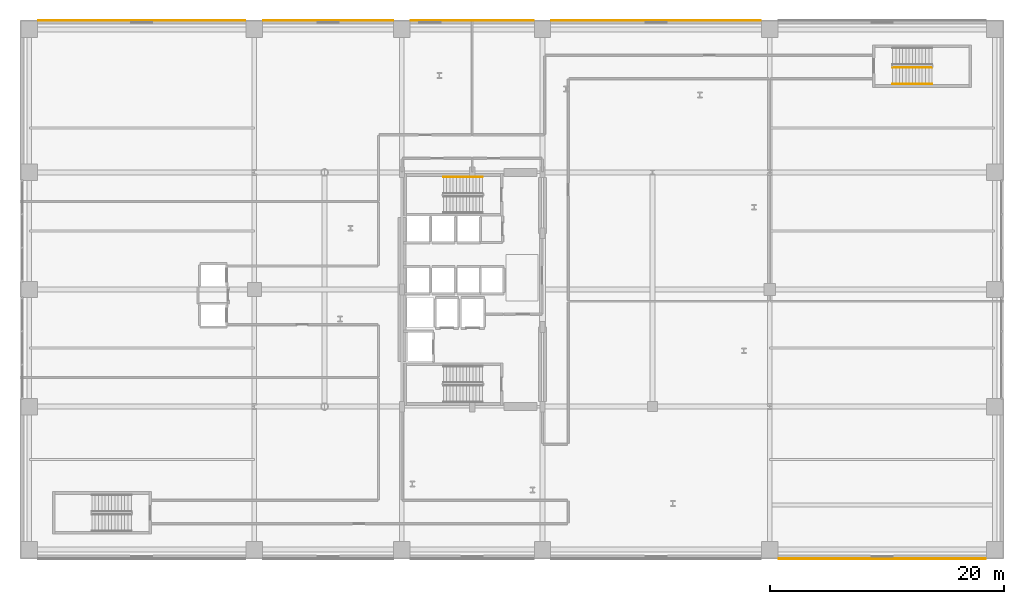
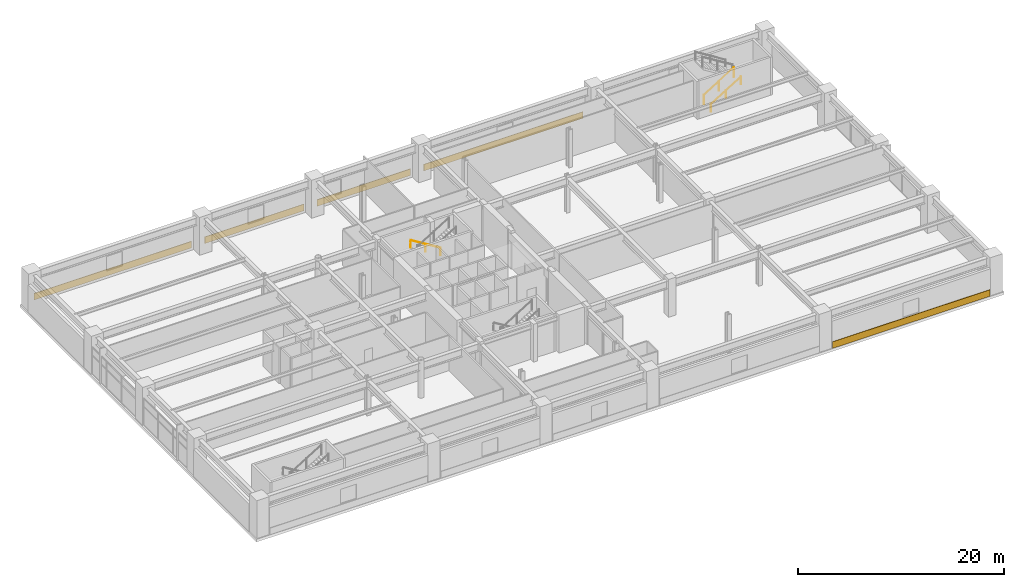
# One storey, part 27 of 28: 5 coverings, 3 railings.
"""IFC4 building model written with IfcOpenShell, lengths in metres."""

from ifc_helpers import new_model, si_unit, direction, frame, origin, origin_2d, place, context, subcontext, project, spatial, rectangle, circle, extrude, material, layer, layer_set, type_object, element, save


model = new_model("IFC4")

# Units and contexts
model_context = context("Model", 3, precision=1e-05, world=origin(), true_north=direction((0.0, 1.0)))
body_context = subcontext(model_context, "Body", "Model", "MODEL_VIEW")
ifc_project = project(units=[si_unit("LENGTHUNIT", "METRE"), si_unit("AREAUNIT", "SQUARE_METRE"), si_unit("VOLUMEUNIT", "CUBIC_METRE"), si_unit("PLANEANGLEUNIT", "RADIAN"), si_unit("MASSUNIT", "GRAM", prefix="KILO")], contexts=[model_context])

# Site, building, storey
site_placement = place(None, origin())
site = spatial("IfcSite", under=ifc_project, at=site_placement, CompositionType="ELEMENT")
building_placement = place(site_placement, origin())
building = spatial("IfcBuilding", under=site, at=building_placement, Name="Soratama Intermodal Tower", CompositionType="ELEMENT")
storey_placement = place(building_placement, frame((0.0, 0.0, 16.199951171875)))
storey = spatial("IfcBuildingStorey", under=building, at=storey_placement, Name="L03", CompositionType="ELEMENT", Elevation=16.199951171875)

# Coverings
ifc_material_1 = material(Name="Honed Andean limestone cladding", Category="masonry")
ifc_layer = layer(ifc_material_1, 0.06005859375)
ifc_layer_set = layer_set([ifc_layer], Name="Honed Andean limestone cladding")
covering_type = type_object("IfcCoveringType", Name="CV-STONE-CLAD", PredefinedType="CLADDING", material=ifc_layer_set)
covering_1_placement = place(storey_placement, frame((10.39990234375, 47.97607421875, 0.0302734375), z_axis=(0.0, 0.0, 1.0), x_axis=(1.0, 0.0, 0.0)))
element("IfcCovering", 1, at=covering_1_placement, inside=storey, type_object=covering_type, Name="L03 N Cladding B1", PredefinedType="CLADDING", context=body_context, shape_type="SweptSolid", body=[
    extrude(rectangle(XDim=17.699951171875, YDim=0.06005859375, at=origin_2d()), origin(), (0.0, 0.0, 1.0), 0.780029296875),
])
covering_2_placement = place(storey_placement, frame((26.300048828125, 47.97607421875, 0.0302734375), z_axis=(0.0, 0.0, 1.0), x_axis=(1.0, 0.0, 0.0)))
element("IfcCovering", 2, at=covering_2_placement, inside=storey, type_object=covering_type, Name="L03 N Cladding B2", PredefinedType="CLADDING", context=body_context, shape_type="SweptSolid", body=[
    extrude(rectangle(XDim=11.10009765625, YDim=0.06005859375, at=origin_2d()), origin(), (0.0, 0.0, 1.0), 0.780029296875),
])
covering_3_placement = place(storey_placement, frame((38.60009765625, 47.97607421875, 0.0302734375), z_axis=(0.0, 0.0, 1.0), x_axis=(1.0, 0.0, 0.0)))
element("IfcCovering", 3, at=covering_3_placement, inside=storey, type_object=covering_type, Name="L03 N Cladding B3", PredefinedType="CLADDING", context=body_context, shape_type="SweptSolid", body=[
    extrude(rectangle(XDim=10.5, YDim=0.06005859375, at=origin_2d()), origin(), (0.0, 0.0, 1.0), 0.780029296875),
])
covering_4_placement = place(storey_placement, frame((54.300048828125, 47.97607421875, 0.0302734375), z_axis=(0.0, 0.0, 1.0), x_axis=(1.0, 0.0, 0.0)))
element("IfcCovering", 4, at=covering_4_placement, inside=storey, type_object=covering_type, Name="L03 N Cladding B4", PredefinedType="CLADDING", context=body_context, shape_type="SweptSolid", body=[
    extrude(rectangle(XDim=17.89990234375, YDim=0.06005859375, at=origin_2d()), origin(), (0.0, 0.0, 1.0), 0.780029296875),
])
covering_5_placement = place(storey_placement, frame((73.60009765625, 2.02392578125, 0.0302734375), z_axis=(0.0, 0.0, 1.0), x_axis=(1.0, 0.0, 0.0)))
element("IfcCovering", 5, at=covering_5_placement, inside=storey, type_object=covering_type, Name="L03 S Cladding B5", PredefinedType="CLADDING", context=body_context, shape_type="SweptSolid", body=[
    extrude(rectangle(XDim=17.699951171875, YDim=0.06005859375, at=origin_2d()), origin(), (0.0, 0.0, 1.0), 0.780029296875),
])

# Railings
ifc_material_2 = material(Name="Painted steel stair guardrail", Category="steel")
railing_type_1 = type_object("IfcRailingType", Name="RL-STAIR-GUARD", PredefinedType="GUARDRAIL", material=ifc_material_2)
railing_1_placement = place(storey_placement, frame((74.5, 43.949951171875, 0.173095703125)))
element("IfcRailing", 6, at=railing_1_placement, inside=storey, type_object=railing_type_1, Name="L03 ST-4 stair guard 1", PredefinedType="GUARDRAIL", context=body_context, shape_type="SweptSolid", body=[
    extrude(circle(Radius=0.02392578125, at=origin_2d()), frame((0.0, 0.0, 1.1259765625), z_axis=(0.850623216509, 0.0, 0.525775754039), x_axis=(0.0, 1.0, 0.0)), (0.0, 0.0, 1.0), 3.9501953125),
    extrude(circle(Radius=0.02099609375, at=origin_2d()), origin(), (0.0, 0.0, 1.0), 1.101806640625),
    extrude(circle(Radius=0.02099609375, at=origin_2d()), frame((1.68017578125, 0.0, 1.03857421875)), (0.0, 0.0, 1.0), 1.101806640625),
    extrude(circle(Radius=0.02099609375, at=origin_2d()), frame((3.360107421875, 0.0, 2.076904296875)), (0.0, 0.0, 1.0), 1.101806640625),
])
ifc_material_3 = material(Name="Brushed stainless steel handrail", Category="steel")
railing_type_2 = type_object("IfcRailingType", Name="RL-STAIR-HAND", PredefinedType="HANDRAIL", material=ifc_material_3)
railing_2_placement = place(storey_placement, frame((39.5, 34.60009765625, 0.173095703125)))
element("IfcRailing", 7, at=railing_2_placement, inside=storey, type_object=railing_type_2, Name="L03 ST-2 stair handrail 1", PredefinedType="HANDRAIL", context=body_context, shape_type="SweptSolid", body=[
    extrude(circle(Radius=0.02392578125, at=origin_2d()), frame((0.0, 0.0, 0.8759765625), z_axis=(-0.850623216509, 0.0, 0.525775754039), x_axis=(0.0, -1.0, 0.0)), (0.0, 0.0, 1.0), 3.9501953125),
    extrude(circle(Radius=0.02099609375, at=origin_2d()), origin(), (0.0, 0.0, 1.0), 0.851806640625),
    extrude(circle(Radius=0.02099609375, at=origin_2d()), frame((-1.68017578125, 0.0, 1.03857421875)), (0.0, 0.0, 1.0), 0.851806640625),
    extrude(circle(Radius=0.02099609375, at=origin_2d()), frame((-3.360107421875, 0.0, 2.076904296875)), (0.0, 0.0, 1.0), 0.851806640625),
])
railing_3_placement = place(storey_placement, frame((74.5, 42.550048828125, 0.173095703125)))
element("IfcRailing", 8, at=railing_3_placement, inside=storey, type_object=railing_type_2, Name="L03 ST-4 stair handrail 1", PredefinedType="HANDRAIL", context=body_context, shape_type="SweptSolid", body=[
    extrude(circle(Radius=0.02392578125, at=origin_2d()), frame((0.0, 0.0, 0.8759765625), z_axis=(0.850623216509, 0.0, 0.525775754039), x_axis=(0.0, 1.0, 0.0)), (0.0, 0.0, 1.0), 3.9501953125),
    extrude(circle(Radius=0.02099609375, at=origin_2d()), origin(), (0.0, 0.0, 1.0), 0.851806640625),
    extrude(circle(Radius=0.02099609375, at=origin_2d()), frame((1.68017578125, 0.0, 1.03857421875)), (0.0, 0.0, 1.0), 0.851806640625),
    extrude(circle(Radius=0.02099609375, at=origin_2d()), frame((3.360107421875, 0.0, 2.076904296875)), (0.0, 0.0, 1.0), 0.851806640625),
])

save(model, "model.ifc")
